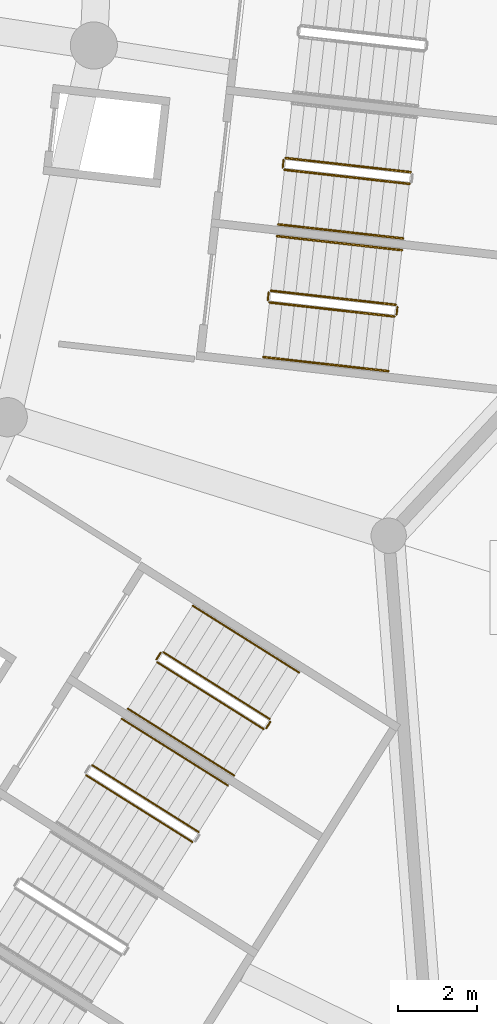
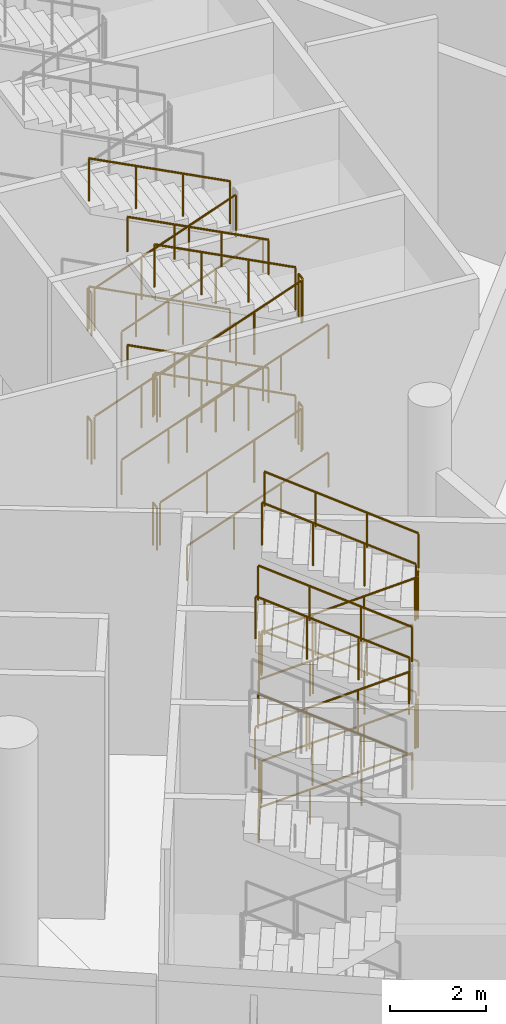
# One storey, part 214 of 255: 36 railings.
"""IFC4 building model written with IfcOpenShell, lengths in metres."""

from ifc_helpers import new_model, si_unit, direction, frame, origin, origin_2d, place, context, subcontext, project, spatial, circle, extrude, material, type_object, element, save


model = new_model("IFC4")

# Units and contexts
model_context = context("Model", 3, precision=1e-05, world=origin(), true_north=direction((0.0, 1.0)))
body_context = subcontext(model_context, "Body", "Model", "MODEL_VIEW")
ifc_project = project(units=[si_unit("LENGTHUNIT", "METRE"), si_unit("AREAUNIT", "SQUARE_METRE"), si_unit("VOLUMEUNIT", "CUBIC_METRE"), si_unit("PLANEANGLEUNIT", "RADIAN"), si_unit("MASSUNIT", "GRAM", prefix="KILO")], contexts=[model_context])

# Site, building, storey
site_placement = place(None, origin())
site = spatial("IfcSite", under=ifc_project, at=site_placement, CompositionType="ELEMENT")
building_placement = place(site_placement, origin())
building = spatial("IfcBuilding", under=site, at=building_placement, Name="Meseta Stadium", CompositionType="ELEMENT")
storey_placement = place(building_placement, origin())
storey = spatial("IfcBuildingStorey", under=building, at=storey_placement, Name="L00", CompositionType="ELEMENT", Elevation=0.0)

# Railings
ifc_material_1 = material(Name="Steel S355", Category="steel")
railing_type_1 = type_object("IfcRailingType", Name="Stair guard 1100", PredefinedType="GUARDRAIL", material=ifc_material_1)
railing_1_placement = place(storey_placement, frame((88.83740234375, -60.10986328125, 0.147705078125)))
element("IfcRailing", 1, at=railing_1_placement, inside=storey, type_object=railing_type_1, Name="ST1 L00 guard 1", PredefinedType="GUARDRAIL", context=body_context, shape_type="SweptSolid", body=[
    extrude(circle(Radius=0.02392578125, at=origin_2d()), frame((0.0, 0.0, 1.076171875), z_axis=(0.902216641888, -0.101616262084, 0.419141105571), x_axis=(0.11192190762, 0.993717005286, 0.0)), (0.0, 0.0, 1.0), 3.524658203125),
    extrude(circle(Radius=0.02099609375, at=origin_2d()), origin(), (0.0, 0.0, 1.0), 1.052001953125),
    extrude(circle(Radius=0.02099609375, at=origin_2d()), frame((1.06005859375, -0.119384765625, 0.492431640625)), (0.0, 0.0, 1.0), 1.052001953125),
    extrude(circle(Radius=0.02099609375, at=origin_2d()), frame((2.119873046875, -0.23876953125, 0.98486328125)), (0.0, 0.0, 1.0), 1.052001953125),
    extrude(circle(Radius=0.02099609375, at=origin_2d()), frame((3.179931640625, -0.358154296875, 1.477294921875)), (0.0, 0.0, 1.0), 1.052001953125),
])
railing_2_placement = place(storey_placement, frame((92.072509765625, -60.424072265625, 1.625)))
element("IfcRailing", 2, at=railing_2_placement, inside=storey, type_object=railing_type_1, Name="ST1 L00 guard 2", PredefinedType="GUARDRAIL", context=body_context, shape_type="SweptSolid", body=[
    extrude(circle(Radius=0.02392578125, at=origin_2d()), frame((0.0, 0.0, 1.076171875), z_axis=(0.112307083986, 0.993673547442, 0.0), x_axis=(-0.993673547442, 0.112307083986, 0.0)), (0.0, 0.0, 1.0), 0.199951171875),
    extrude(circle(Radius=0.02099609375, at=origin_2d()), origin(), (0.0, 0.0, 1.0), 1.052001953125),
    extrude(circle(Radius=0.02099609375, at=origin_2d()), frame((0.0224609375, 0.19873046875, 0.0)), (0.0, 0.0, 1.0), 1.052001953125),
])
railing_3_placement = place(storey_placement, frame((92.05078125, -60.169921875, 1.772705078125)))
element("IfcRailing", 3, at=railing_3_placement, inside=storey, type_object=railing_type_1, Name="ST1 L00 guard 3", PredefinedType="GUARDRAIL", context=body_context, shape_type="SweptSolid", body=[
    extrude(circle(Radius=0.02392578125, at=origin_2d()), frame((0.0, 0.0, 1.076171875), z_axis=(-0.902203756464, 0.101622612925, 0.419167301164), x_axis=(-0.111930393474, -0.993716049491, 0.0)), (0.0, 0.0, 1.0), 3.5244140625),
    extrude(circle(Radius=0.02099609375, at=origin_2d()), origin(), (0.0, 0.0, 1.0), 1.052001953125),
    extrude(circle(Radius=0.02099609375, at=origin_2d()), frame((-1.059814453125, 0.119384765625, 0.492431640625)), (0.0, 0.0, 1.0), 1.052001953125),
    extrude(circle(Radius=0.02099609375, at=origin_2d()), frame((-2.119873046875, 0.23876953125, 0.98486328125)), (0.0, 0.0, 1.0), 1.052001953125),
    extrude(circle(Radius=0.02099609375, at=origin_2d()), frame((-3.1796875, 0.358154296875, 1.477294921875)), (0.0, 0.0, 1.0), 1.052001953125),
])
railing_4_placement = place(storey_placement, frame((88.793212890625, -60.054443359375, 3.25)))
element("IfcRailing", 4, at=railing_4_placement, inside=storey, type_object=railing_type_1, Name="ST1 L00 guard 4", PredefinedType="GUARDRAIL", context=body_context, shape_type="SweptSolid", body=[
    extrude(circle(Radius=0.02392578125, at=origin_2d()), frame((0.0, 0.0, 1.076171875), z_axis=(0.112307083986, 0.993673547442, 0.0), x_axis=(-0.993673547442, 0.112307083986, 0.0)), (0.0, 0.0, 1.0), 0.199951171875),
    extrude(circle(Radius=0.02099609375, at=origin_2d()), origin(), (0.0, 0.0, 1.0), 1.052001953125),
    extrude(circle(Radius=0.02099609375, at=origin_2d()), frame((0.0224609375, 0.19873046875, 0.0)), (0.0, 0.0, 1.0), 1.052001953125),
])
railing_5_placement = place(storey_placement, frame((88.83740234375, -60.10986328125, 3.397705078125)))
element("IfcRailing", 5, at=railing_5_placement, inside=storey, type_object=railing_type_1, Name="ST1 L00 guard 5", PredefinedType="GUARDRAIL", context=body_context, shape_type="SweptSolid", body=[
    extrude(circle(Radius=0.02392578125, at=origin_2d()), frame((0.0, 0.0, 1.076171875), z_axis=(0.902216641888, -0.101616262084, 0.419141105571), x_axis=(0.11192190762, 0.993717005286, 0.0)), (0.0, 0.0, 1.0), 3.524658203125),
    extrude(circle(Radius=0.02099609375, at=origin_2d()), origin(), (0.0, 0.0, 1.0), 1.052001953125),
    extrude(circle(Radius=0.02099609375, at=origin_2d()), frame((1.06005859375, -0.119384765625, 0.492431640625)), (0.0, 0.0, 1.0), 1.052001953125),
    extrude(circle(Radius=0.02099609375, at=origin_2d()), frame((2.119873046875, -0.23876953125, 0.98486328125)), (0.0, 0.0, 1.0), 1.052001953125),
    extrude(circle(Radius=0.02099609375, at=origin_2d()), frame((3.179931640625, -0.358154296875, 1.477294921875)), (0.0, 0.0, 1.0), 1.052001953125),
])
railing_6_placement = place(storey_placement, frame((92.072509765625, -60.424072265625, 4.875)))
element("IfcRailing", 6, at=railing_6_placement, inside=storey, type_object=railing_type_1, Name="ST1 L00 guard 6", PredefinedType="GUARDRAIL", context=body_context, shape_type="SweptSolid", body=[
    extrude(circle(Radius=0.02392578125, at=origin_2d()), frame((0.0, 0.0, 1.076171875), z_axis=(0.112307083986, 0.993673547442, 0.0), x_axis=(-0.993673547442, 0.112307083986, 0.0)), (0.0, 0.0, 1.0), 0.199951171875),
    extrude(circle(Radius=0.02099609375, at=origin_2d()), origin(), (0.0, 0.0, 1.0), 1.052001953125),
    extrude(circle(Radius=0.02099609375, at=origin_2d()), frame((0.0224609375, 0.19873046875, 0.0)), (0.0, 0.0, 1.0), 1.052001953125),
])
railing_7_placement = place(storey_placement, frame((92.05078125, -60.169921875, 5.022705078125)))
element("IfcRailing", 7, at=railing_7_placement, inside=storey, type_object=railing_type_1, Name="ST1 L00 guard 7", PredefinedType="GUARDRAIL", context=body_context, shape_type="SweptSolid", body=[
    extrude(circle(Radius=0.02392578125, at=origin_2d()), frame((0.0, 0.0, 1.076171875), z_axis=(-0.902203756464, 0.101622612925, 0.419167301164), x_axis=(-0.111930393474, -0.993716049491, 0.0)), (0.0, 0.0, 1.0), 3.5244140625),
    extrude(circle(Radius=0.02099609375, at=origin_2d()), origin(), (0.0, 0.0, 1.0), 1.052001953125),
    extrude(circle(Radius=0.02099609375, at=origin_2d()), frame((-1.059814453125, 0.119384765625, 0.492431640625)), (0.0, 0.0, 1.0), 1.052001953125),
    extrude(circle(Radius=0.02099609375, at=origin_2d()), frame((-2.119873046875, 0.23876953125, 0.98486328125)), (0.0, 0.0, 1.0), 1.052001953125),
    extrude(circle(Radius=0.02099609375, at=origin_2d()), frame((-3.1796875, 0.358154296875, 1.477294921875)), (0.0, 0.0, 1.0), 1.052001953125),
])
railing_8_placement = place(storey_placement, frame((88.793212890625, -60.054443359375, 0.0)))
element("IfcRailing", 8, at=railing_8_placement, inside=storey, type_object=railing_type_1, Name="ST1 L00 guard 8", PredefinedType="GUARDRAIL", context=body_context, shape_type="SweptSolid", body=[
    extrude(circle(Radius=0.02392578125, at=origin_2d()), frame((0.0, 0.0, 1.076171875), z_axis=(0.112307083986, 0.993673547442, 0.0), x_axis=(-0.993673547442, 0.112307083986, 0.0)), (0.0, 0.0, 1.0), 0.199951171875),
    extrude(circle(Radius=0.02099609375, at=origin_2d()), origin(), (0.0, 0.0, 1.0), 1.052001953125),
    extrude(circle(Radius=0.02099609375, at=origin_2d()), frame((0.0224609375, 0.19873046875, 0.0)), (0.0, 0.0, 1.0), 1.052001953125),
])
railing_9_placement = place(storey_placement, frame((89.218017578125, -56.731201171875, 0.147705078125)))
element("IfcRailing", 9, at=railing_9_placement, inside=storey, type_object=railing_type_1, Name="ST2 L00 guard 1", PredefinedType="GUARDRAIL", context=body_context, shape_type="SweptSolid", body=[
    extrude(circle(Radius=0.02392578125, at=origin_2d()), frame((0.0, 0.0, 1.076171875), z_axis=(0.902210289302, -0.10168481418, 0.419138154362), x_axis=(0.111997244021, 0.993708517288, 0.0)), (0.0, 0.0, 1.0), 3.524658203125),
    extrude(circle(Radius=0.02099609375, at=origin_2d()), origin(), (0.0, 0.0, 1.0), 1.052001953125),
    extrude(circle(Radius=0.02099609375, at=origin_2d()), frame((1.06005859375, -0.119384765625, 0.492431640625)), (0.0, 0.0, 1.0), 1.052001953125),
    extrude(circle(Radius=0.02099609375, at=origin_2d()), frame((2.119873046875, -0.239013671875, 0.98486328125)), (0.0, 0.0, 1.0), 1.052001953125),
    extrude(circle(Radius=0.02099609375, at=origin_2d()), frame((3.179931640625, -0.3583984375, 1.477294921875)), (0.0, 0.0, 1.0), 1.052001953125),
])
railing_10_placement = place(storey_placement, frame((92.431640625, -56.79150390625, 1.772705078125)))
element("IfcRailing", 10, at=railing_10_placement, inside=storey, type_object=railing_type_1, Name="ST2 L00 guard 3", PredefinedType="GUARDRAIL", context=body_context, shape_type="SweptSolid", body=[
    extrude(circle(Radius=0.02392578125, at=origin_2d()), frame((0.0, 0.0, 1.076171875), z_axis=(-0.902210289302, 0.10168481418, 0.419138154362), x_axis=(-0.111997244021, -0.993708517288, 0.0)), (0.0, 0.0, 1.0), 3.524658203125),
    extrude(circle(Radius=0.02099609375, at=origin_2d()), origin(), (0.0, 0.0, 1.0), 1.052001953125),
    extrude(circle(Radius=0.02099609375, at=origin_2d()), frame((-1.06005859375, 0.119384765625, 0.492431640625)), (0.0, 0.0, 1.0), 1.052001953125),
    extrude(circle(Radius=0.02099609375, at=origin_2d()), frame((-2.119873046875, 0.239013671875, 0.98486328125)), (0.0, 0.0, 1.0), 1.052001953125),
    extrude(circle(Radius=0.02099609375, at=origin_2d()), frame((-3.179931640625, 0.3583984375, 1.477294921875)), (0.0, 0.0, 1.0), 1.052001953125),
])
railing_11_placement = place(storey_placement, frame((89.174072265625, -56.676025390625, 3.25)))
element("IfcRailing", 11, at=railing_11_placement, inside=storey, type_object=railing_type_1, Name="ST2 L00 guard 4", PredefinedType="GUARDRAIL", context=body_context, shape_type="SweptSolid", body=[
    extrude(circle(Radius=0.02392578125, at=origin_2d()), frame((0.0, 0.0, 1.076171875), z_axis=(0.111101504696, 0.993809063983, 0.0), x_axis=(-0.993809063983, 0.111101504696, 0.0)), (0.0, 0.0, 1.0), 0.199951171875),
    extrude(circle(Radius=0.02099609375, at=origin_2d()), origin(), (0.0, 0.0, 1.0), 1.052001953125),
    extrude(circle(Radius=0.02099609375, at=origin_2d()), frame((0.022216796875, 0.19873046875, 0.0)), (0.0, 0.0, 1.0), 1.052001953125),
])
railing_12_placement = place(storey_placement, frame((89.218017578125, -56.731201171875, 3.397705078125)))
element("IfcRailing", 12, at=railing_12_placement, inside=storey, type_object=railing_type_1, Name="ST2 L00 guard 5", PredefinedType="GUARDRAIL", context=body_context, shape_type="SweptSolid", body=[
    extrude(circle(Radius=0.02392578125, at=origin_2d()), frame((0.0, 0.0, 1.076171875), z_axis=(0.902210289302, -0.10168481418, 0.419138154362), x_axis=(0.111997244021, 0.993708517288, 0.0)), (0.0, 0.0, 1.0), 3.524658203125),
    extrude(circle(Radius=0.02099609375, at=origin_2d()), origin(), (0.0, 0.0, 1.0), 1.052001953125),
    extrude(circle(Radius=0.02099609375, at=origin_2d()), frame((1.06005859375, -0.119384765625, 0.492431640625)), (0.0, 0.0, 1.0), 1.052001953125),
    extrude(circle(Radius=0.02099609375, at=origin_2d()), frame((2.119873046875, -0.239013671875, 0.98486328125)), (0.0, 0.0, 1.0), 1.052001953125),
    extrude(circle(Radius=0.02099609375, at=origin_2d()), frame((3.179931640625, -0.3583984375, 1.477294921875)), (0.0, 0.0, 1.0), 1.052001953125),
])
railing_13_placement = place(storey_placement, frame((92.431640625, -56.79150390625, 5.022705078125)))
element("IfcRailing", 13, at=railing_13_placement, inside=storey, type_object=railing_type_1, Name="ST2 L00 guard 7", PredefinedType="GUARDRAIL", context=body_context, shape_type="SweptSolid", body=[
    extrude(circle(Radius=0.02392578125, at=origin_2d()), frame((0.0, 0.0, 1.076171875), z_axis=(-0.902210289302, 0.10168481418, 0.419138154362), x_axis=(-0.111997244021, -0.993708517288, 0.0)), (0.0, 0.0, 1.0), 3.524658203125),
    extrude(circle(Radius=0.02099609375, at=origin_2d()), origin(), (0.0, 0.0, 1.0), 1.052001953125),
    extrude(circle(Radius=0.02099609375, at=origin_2d()), frame((-1.06005859375, 0.119384765625, 0.492431640625)), (0.0, 0.0, 1.0), 1.052001953125),
    extrude(circle(Radius=0.02099609375, at=origin_2d()), frame((-2.119873046875, 0.239013671875, 0.98486328125)), (0.0, 0.0, 1.0), 1.052001953125),
    extrude(circle(Radius=0.02099609375, at=origin_2d()), frame((-3.179931640625, 0.3583984375, 1.477294921875)), (0.0, 0.0, 1.0), 1.052001953125),
])
railing_14_placement = place(storey_placement, frame((89.174072265625, -56.676025390625, 0.0)))
element("IfcRailing", 14, at=railing_14_placement, inside=storey, type_object=railing_type_1, Name="ST2 L00 guard 8", PredefinedType="GUARDRAIL", context=body_context, shape_type="SweptSolid", body=[
    extrude(circle(Radius=0.02392578125, at=origin_2d()), frame((0.0, 0.0, 1.076171875), z_axis=(0.111101504696, 0.993809063983, 0.0), x_axis=(-0.993809063983, 0.111101504696, 0.0)), (0.0, 0.0, 1.0), 0.199951171875),
    extrude(circle(Radius=0.02099609375, at=origin_2d()), origin(), (0.0, 0.0, 1.0), 1.052001953125),
    extrude(circle(Radius=0.02099609375, at=origin_2d()), frame((0.022216796875, 0.19873046875, 0.0)), (0.0, 0.0, 1.0), 1.052001953125),
])
railing_15_placement = place(storey_placement, frame((84.165283203125, -72.150146484375, 3.397705078125)))
element("IfcRailing", 15, at=railing_15_placement, inside=storey, type_object=railing_type_1, Name="ST111 L00 guard 5", PredefinedType="GUARDRAIL", context=body_context, shape_type="SweptSolid", body=[
    extrude(circle(Radius=0.02392578125, at=origin_2d()), frame((0.0, 0.0, 1.076171875), z_axis=(0.768737866935, -0.483076039287, 0.419141541973), x_axis=(0.53206841829, 0.84670136309, 0.0)), (0.0, 0.0, 1.0), 3.524658203125),
    extrude(circle(Radius=0.02099609375, at=origin_2d()), origin(), (0.0, 0.0, 1.0), 1.052001953125),
    extrude(circle(Radius=0.02099609375, at=origin_2d()), frame((0.903076171875, -0.567626953125, 0.492431640625)), (0.0, 0.0, 1.0), 1.052001953125),
    extrude(circle(Radius=0.02099609375, at=origin_2d()), frame((1.806396484375, -1.135009765625, 0.98486328125)), (0.0, 0.0, 1.0), 1.052001953125),
    extrude(circle(Radius=0.02099609375, at=origin_2d()), frame((2.70947265625, -1.70263671875, 1.477294921875)), (0.0, 0.0, 1.0), 1.052001953125),
])
railing_16_placement = place(storey_placement, frame((87.034423828125, -73.5986328125, 5.022705078125)))
element("IfcRailing", 16, at=railing_16_placement, inside=storey, type_object=railing_type_1, Name="ST111 L00 guard 7", PredefinedType="GUARDRAIL", context=body_context, shape_type="SweptSolid", body=[
    extrude(circle(Radius=0.02392578125, at=origin_2d()), frame((0.0, 0.0, 1.076171875), z_axis=(-0.768791919252, 0.482997211726, 0.419133246544), x_axis=(-0.531979352387, -0.846757325705, 0.0)), (0.0, 0.0, 1.0), 3.524658203125),
    extrude(circle(Radius=0.02099609375, at=origin_2d()), origin(), (0.0, 0.0, 1.0), 1.052001953125),
    extrude(circle(Radius=0.02099609375, at=origin_2d()), frame((-0.9033203125, 0.5673828125, 0.492431640625)), (0.0, 0.0, 1.0), 1.052001953125),
    extrude(circle(Radius=0.02099609375, at=origin_2d()), frame((-1.806396484375, 1.135009765625, 0.98486328125)), (0.0, 0.0, 1.0), 1.052001953125),
    extrude(circle(Radius=0.02099609375, at=origin_2d()), frame((-2.709716796875, 1.702392578125, 1.477294921875)), (0.0, 0.0, 1.0), 1.052001953125),
])
railing_17_placement = place(storey_placement, frame((85.97412109375, -69.271240234375, 0.147705078125)))
element("IfcRailing", 17, at=railing_17_placement, inside=storey, type_object=railing_type_1, Name="ST112 L00 guard 1", PredefinedType="GUARDRAIL", context=body_context, shape_type="SweptSolid", body=[
    extrude(circle(Radius=0.02392578125, at=origin_2d()), frame((0.0, 0.0, 1.076171875), z_axis=(0.768737866935, -0.483076039287, 0.419141541973), x_axis=(0.53206841829, 0.84670136309, 0.0)), (0.0, 0.0, 1.0), 3.524658203125),
    extrude(circle(Radius=0.02099609375, at=origin_2d()), origin(), (0.0, 0.0, 1.0), 1.052001953125),
    extrude(circle(Radius=0.02099609375, at=origin_2d()), frame((0.903076171875, -0.567626953125, 0.492431640625)), (0.0, 0.0, 1.0), 1.052001953125),
    extrude(circle(Radius=0.02099609375, at=origin_2d()), frame((1.806396484375, -1.135009765625, 0.98486328125)), (0.0, 0.0, 1.0), 1.052001953125),
    extrude(circle(Radius=0.02099609375, at=origin_2d()), frame((2.70947265625, -1.70263671875, 1.477294921875)), (0.0, 0.0, 1.0), 1.052001953125),
])
railing_18_placement = place(storey_placement, frame((88.75244140625, -70.9580078125, 1.625)))
element("IfcRailing", 18, at=railing_18_placement, inside=storey, type_object=railing_type_1, Name="ST112 L00 guard 2", PredefinedType="GUARDRAIL", context=body_context, shape_type="SweptSolid", body=[
    extrude(circle(Radius=0.02392578125, at=origin_2d()), frame((0.0, 0.0, 1.076171875), z_axis=(0.532521690573, 0.846416356806, 0.0), x_axis=(-0.846416356806, 0.532521690573, 0.0)), (0.0, 0.0, 1.0), 0.199951171875),
    extrude(circle(Radius=0.02099609375, at=origin_2d()), origin(), (0.0, 0.0, 1.0), 1.052001953125),
    extrude(circle(Radius=0.02099609375, at=origin_2d()), frame((0.1064453125, 0.169189453125, 0.0)), (0.0, 0.0, 1.0), 1.052001953125),
])
railing_19_placement = place(storey_placement, frame((88.84326171875, -70.7197265625, 1.772705078125)))
element("IfcRailing", 19, at=railing_19_placement, inside=storey, type_object=railing_type_1, Name="ST112 L00 guard 3", PredefinedType="GUARDRAIL", context=body_context, shape_type="SweptSolid", body=[
    extrude(circle(Radius=0.02392578125, at=origin_2d()), frame((0.0, 0.0, 1.076171875), z_axis=(-0.76876358972, 0.483022933061, 0.419155566894), x_axis=(-0.532013720158, -0.846735733015, 0.0)), (0.0, 0.0, 1.0), 3.5244140625),
    extrude(circle(Radius=0.02099609375, at=origin_2d()), origin(), (0.0, 0.0, 1.0), 1.052001953125),
    extrude(circle(Radius=0.02099609375, at=origin_2d()), frame((-0.903076171875, 0.5673828125, 0.492431640625)), (0.0, 0.0, 1.0), 1.052001953125),
    extrude(circle(Radius=0.02099609375, at=origin_2d()), frame((-1.806396484375, 1.135009765625, 0.98486328125)), (0.0, 0.0, 1.0), 1.052001953125),
    extrude(circle(Radius=0.02099609375, at=origin_2d()), frame((-2.70947265625, 1.702392578125, 1.477294921875)), (0.0, 0.0, 1.0), 1.052001953125),
])
railing_20_placement = place(storey_placement, frame((85.958251953125, -69.202392578125, 3.25)))
element("IfcRailing", 20, at=railing_20_placement, inside=storey, type_object=railing_type_1, Name="ST112 L00 guard 4", PredefinedType="GUARDRAIL", context=body_context, shape_type="SweptSolid", body=[
    extrude(circle(Radius=0.02392578125, at=origin_2d()), frame((0.0, 0.0, 1.076171875), z_axis=(0.531971628011, 0.846762178531, 0.0), x_axis=(-0.846762178531, 0.531971628011, 0.0)), (0.0, 0.0, 1.0), 0.2001953125),
    extrude(circle(Radius=0.02099609375, at=origin_2d()), origin(), (0.0, 0.0, 1.0), 1.052001953125),
    extrude(circle(Radius=0.02099609375, at=origin_2d()), frame((0.1064453125, 0.16943359375, 0.0)), (0.0, 0.0, 1.0), 1.052001953125),
])
railing_21_placement = place(storey_placement, frame((85.97412109375, -69.271240234375, 3.397705078125)))
element("IfcRailing", 21, at=railing_21_placement, inside=storey, type_object=railing_type_1, Name="ST112 L00 guard 5", PredefinedType="GUARDRAIL", context=body_context, shape_type="SweptSolid", body=[
    extrude(circle(Radius=0.02392578125, at=origin_2d()), frame((0.0, 0.0, 1.076171875), z_axis=(0.768737866935, -0.483076039287, 0.419141541973), x_axis=(0.53206841829, 0.84670136309, 0.0)), (0.0, 0.0, 1.0), 3.524658203125),
    extrude(circle(Radius=0.02099609375, at=origin_2d()), origin(), (0.0, 0.0, 1.0), 1.052001953125),
    extrude(circle(Radius=0.02099609375, at=origin_2d()), frame((0.903076171875, -0.567626953125, 0.492431640625)), (0.0, 0.0, 1.0), 1.052001953125),
    extrude(circle(Radius=0.02099609375, at=origin_2d()), frame((1.806396484375, -1.135009765625, 0.98486328125)), (0.0, 0.0, 1.0), 1.052001953125),
    extrude(circle(Radius=0.02099609375, at=origin_2d()), frame((2.70947265625, -1.70263671875, 1.477294921875)), (0.0, 0.0, 1.0), 1.052001953125),
])
railing_22_placement = place(storey_placement, frame((88.75244140625, -70.9580078125, 4.875)))
element("IfcRailing", 22, at=railing_22_placement, inside=storey, type_object=railing_type_1, Name="ST112 L00 guard 6", PredefinedType="GUARDRAIL", context=body_context, shape_type="SweptSolid", body=[
    extrude(circle(Radius=0.02392578125, at=origin_2d()), frame((0.0, 0.0, 1.076171875), z_axis=(0.532521690573, 0.846416356806, 0.0), x_axis=(-0.846416356806, 0.532521690573, 0.0)), (0.0, 0.0, 1.0), 0.199951171875),
    extrude(circle(Radius=0.02099609375, at=origin_2d()), origin(), (0.0, 0.0, 1.0), 1.052001953125),
    extrude(circle(Radius=0.02099609375, at=origin_2d()), frame((0.1064453125, 0.169189453125, 0.0)), (0.0, 0.0, 1.0), 1.052001953125),
])
railing_23_placement = place(storey_placement, frame((88.84326171875, -70.7197265625, 5.022705078125)))
element("IfcRailing", 23, at=railing_23_placement, inside=storey, type_object=railing_type_1, Name="ST112 L00 guard 7", PredefinedType="GUARDRAIL", context=body_context, shape_type="SweptSolid", body=[
    extrude(circle(Radius=0.02392578125, at=origin_2d()), frame((0.0, 0.0, 1.076171875), z_axis=(-0.76876358972, 0.483022933061, 0.419155566894), x_axis=(-0.532013720158, -0.846735733015, 0.0)), (0.0, 0.0, 1.0), 3.5244140625),
    extrude(circle(Radius=0.02099609375, at=origin_2d()), origin(), (0.0, 0.0, 1.0), 1.052001953125),
    extrude(circle(Radius=0.02099609375, at=origin_2d()), frame((-0.903076171875, 0.5673828125, 0.492431640625)), (0.0, 0.0, 1.0), 1.052001953125),
    extrude(circle(Radius=0.02099609375, at=origin_2d()), frame((-1.806396484375, 1.135009765625, 0.98486328125)), (0.0, 0.0, 1.0), 1.052001953125),
    extrude(circle(Radius=0.02099609375, at=origin_2d()), frame((-2.70947265625, 1.702392578125, 1.477294921875)), (0.0, 0.0, 1.0), 1.052001953125),
])
railing_24_placement = place(storey_placement, frame((85.958251953125, -69.202392578125, 0.0)))
element("IfcRailing", 24, at=railing_24_placement, inside=storey, type_object=railing_type_1, Name="ST112 L00 guard 8", PredefinedType="GUARDRAIL", context=body_context, shape_type="SweptSolid", body=[
    extrude(circle(Radius=0.02392578125, at=origin_2d()), frame((0.0, 0.0, 1.076171875), z_axis=(0.531971628011, 0.846762178531, 0.0), x_axis=(-0.846762178531, 0.531971628011, 0.0)), (0.0, 0.0, 1.0), 0.2001953125),
    extrude(circle(Radius=0.02099609375, at=origin_2d()), origin(), (0.0, 0.0, 1.0), 1.052001953125),
    extrude(circle(Radius=0.02099609375, at=origin_2d()), frame((0.1064453125, 0.16943359375, 0.0)), (0.0, 0.0, 1.0), 1.052001953125),
])
ifc_material_2 = material(Name="Steel S355", Category="steel")
railing_type_2 = type_object("IfcRailingType", Name="Stair handrail 900", PredefinedType="HANDRAIL", material=ifc_material_2)
railing_25_placement = place(storey_placement, frame((88.6806640625, -61.5009765625, 0.147705078125)))
element("IfcRailing", 25, at=railing_25_placement, inside=storey, type_object=railing_type_2, Name="ST1 L00 handrail 1", PredefinedType="HANDRAIL", context=body_context, shape_type="SweptSolid", body=[
    extrude(circle(Radius=0.02392578125, at=origin_2d()), frame((0.0, 0.0, 0.8759765625), z_axis=(0.902210289302, -0.10168481418, 0.419138154362), x_axis=(0.111997244021, 0.993708517288, 0.0)), (0.0, 0.0, 1.0), 3.524658203125),
    extrude(circle(Radius=0.02099609375, at=origin_2d()), origin(), (0.0, 0.0, 1.0), 0.851806640625),
    extrude(circle(Radius=0.02099609375, at=origin_2d()), frame((1.06005859375, -0.119384765625, 0.492431640625)), (0.0, 0.0, 1.0), 0.851806640625),
    extrude(circle(Radius=0.02099609375, at=origin_2d()), frame((2.119873046875, -0.239013671875, 0.98486328125)), (0.0, 0.0, 1.0), 0.851806640625),
    extrude(circle(Radius=0.02099609375, at=origin_2d()), frame((3.179931640625, -0.3583984375, 1.477294921875)), (0.0, 0.0, 1.0), 0.851806640625),
])
railing_26_placement = place(storey_placement, frame((92.20751953125, -58.77880859375, 1.772705078125)))
element("IfcRailing", 26, at=railing_26_placement, inside=storey, type_object=railing_type_2, Name="ST1 L00 handrail 2", PredefinedType="HANDRAIL", context=body_context, shape_type="SweptSolid", body=[
    extrude(circle(Radius=0.02392578125, at=origin_2d()), frame((0.0, 0.0, 0.8759765625), z_axis=(-0.902197403174, 0.101691169215, 0.419164349402), x_axis=(-0.112005735442, -0.993707560215, 0.0)), (0.0, 0.0, 1.0), 3.5244140625),
    extrude(circle(Radius=0.02099609375, at=origin_2d()), origin(), (0.0, 0.0, 1.0), 0.851806640625),
    extrude(circle(Radius=0.02099609375, at=origin_2d()), frame((-1.059814453125, 0.119384765625, 0.492431640625)), (0.0, 0.0, 1.0), 0.851806640625),
    extrude(circle(Radius=0.02099609375, at=origin_2d()), frame((-2.119873046875, 0.239013671875, 0.98486328125)), (0.0, 0.0, 1.0), 0.851806640625),
    extrude(circle(Radius=0.02099609375, at=origin_2d()), frame((-3.1796875, 0.3583984375, 1.477294921875)), (0.0, 0.0, 1.0), 0.851806640625),
])
railing_27_placement = place(storey_placement, frame((88.6806640625, -61.5009765625, 3.397705078125)))
element("IfcRailing", 27, at=railing_27_placement, inside=storey, type_object=railing_type_2, Name="ST1 L00 handrail 3", PredefinedType="HANDRAIL", context=body_context, shape_type="SweptSolid", body=[
    extrude(circle(Radius=0.02392578125, at=origin_2d()), frame((0.0, 0.0, 0.8759765625), z_axis=(0.902210289302, -0.10168481418, 0.419138154362), x_axis=(0.111997244021, 0.993708517288, 0.0)), (0.0, 0.0, 1.0), 3.524658203125),
    extrude(circle(Radius=0.02099609375, at=origin_2d()), origin(), (0.0, 0.0, 1.0), 0.851806640625),
    extrude(circle(Radius=0.02099609375, at=origin_2d()), frame((1.06005859375, -0.119384765625, 0.492431640625)), (0.0, 0.0, 1.0), 0.851806640625),
    extrude(circle(Radius=0.02099609375, at=origin_2d()), frame((2.119873046875, -0.239013671875, 0.98486328125)), (0.0, 0.0, 1.0), 0.851806640625),
    extrude(circle(Radius=0.02099609375, at=origin_2d()), frame((3.179931640625, -0.3583984375, 1.477294921875)), (0.0, 0.0, 1.0), 0.851806640625),
])
railing_28_placement = place(storey_placement, frame((92.20751953125, -58.77880859375, 5.022705078125)))
element("IfcRailing", 28, at=railing_28_placement, inside=storey, type_object=railing_type_2, Name="ST1 L00 handrail 4", PredefinedType="HANDRAIL", context=body_context, shape_type="SweptSolid", body=[
    extrude(circle(Radius=0.02392578125, at=origin_2d()), frame((0.0, 0.0, 0.8759765625), z_axis=(-0.902197403174, 0.101691169215, 0.419164349402), x_axis=(-0.112005735442, -0.993707560215, 0.0)), (0.0, 0.0, 1.0), 3.5244140625),
    extrude(circle(Radius=0.02099609375, at=origin_2d()), origin(), (0.0, 0.0, 1.0), 0.851806640625),
    extrude(circle(Radius=0.02099609375, at=origin_2d()), frame((-1.059814453125, 0.119384765625, 0.492431640625)), (0.0, 0.0, 1.0), 0.851806640625),
    extrude(circle(Radius=0.02099609375, at=origin_2d()), frame((-2.119873046875, 0.239013671875, 0.98486328125)), (0.0, 0.0, 1.0), 0.851806640625),
    extrude(circle(Radius=0.02099609375, at=origin_2d()), frame((-3.1796875, 0.3583984375, 1.477294921875)), (0.0, 0.0, 1.0), 0.851806640625),
])
for number, where, name in (
    (29, (89.061279296875, -58.122314453125, 0.147705078125), "ST2 L00 handrail 1"),
    (30, (89.061279296875, -58.122314453125, 3.397705078125), "ST2 L00 handrail 3"),
):
    element("IfcRailing", number, at=place(storey_placement, frame(where)), inside=storey, type_object=railing_type_2, Name=name, PredefinedType="HANDRAIL", context=body_context, shape_type="SweptSolid", body=[
        extrude(circle(Radius=0.02392578125, at=origin_2d()), frame((0.0, 0.0, 0.8759765625), z_axis=(0.902210289302, -0.10168481418, 0.419138154362), x_axis=(0.111997244021, 0.993708517288, 0.0)), (0.0, 0.0, 1.0), 3.524658203125),
        extrude(circle(Radius=0.02099609375, at=origin_2d()), origin(), (0.0, 0.0, 1.0), 0.851806640625),
        extrude(circle(Radius=0.02099609375, at=origin_2d()), frame((1.06005859375, -0.119384765625, 0.492431640625)), (0.0, 0.0, 1.0), 0.851806640625),
        extrude(circle(Radius=0.02099609375, at=origin_2d()), frame((2.119873046875, -0.239013671875, 0.98486328125)), (0.0, 0.0, 1.0), 0.851806640625),
        extrude(circle(Radius=0.02099609375, at=origin_2d()), frame((3.179931640625, -0.3583984375, 1.477294921875)), (0.0, 0.0, 1.0), 0.851806640625),
    ])
for number, where, name in (
    (31, (87.779052734375, -72.413330078125, 1.772705078125), "ST111 L00 handrail 2"),
    (32, (87.779052734375, -72.413330078125, 5.022705078125), "ST111 L00 handrail 4"),
):
    element("IfcRailing", number, at=place(storey_placement, frame(where)), inside=storey, type_object=railing_type_2, Name=name, PredefinedType="HANDRAIL", context=body_context, shape_type="SweptSolid", body=[
        extrude(circle(Radius=0.02392578125, at=origin_2d()), frame((0.0, 0.0, 0.8759765625), z_axis=(-0.768737866935, 0.483076039287, 0.419141541973), x_axis=(-0.53206841829, -0.84670136309, 0.0)), (0.0, 0.0, 1.0), 3.524658203125),
        extrude(circle(Radius=0.02099609375, at=origin_2d()), origin(), (0.0, 0.0, 1.0), 0.851806640625),
        extrude(circle(Radius=0.02099609375, at=origin_2d()), frame((-0.903076171875, 0.567626953125, 0.492431640625)), (0.0, 0.0, 1.0), 0.851806640625),
        extrude(circle(Radius=0.02099609375, at=origin_2d()), frame((-1.806396484375, 1.135009765625, 0.98486328125)), (0.0, 0.0, 1.0), 0.851806640625),
        extrude(circle(Radius=0.02099609375, at=origin_2d()), frame((-2.70947265625, 1.70263671875, 1.477294921875)), (0.0, 0.0, 1.0), 0.851806640625),
    ])
railing_29_placement = place(storey_placement, frame((85.229248046875, -70.456787109375, 0.147705078125)))
element("IfcRailing", 33, at=railing_29_placement, inside=storey, type_object=railing_type_2, Name="ST112 L00 handrail 1", PredefinedType="HANDRAIL", context=body_context, shape_type="SweptSolid", body=[
    extrude(circle(Radius=0.02392578125, at=origin_2d()), frame((0.0, 0.0, 0.8759765625), z_axis=(0.76876358972, -0.483022933061, 0.419155566894), x_axis=(0.532013720158, 0.846735733015, 0.0)), (0.0, 0.0, 1.0), 3.5244140625),
    extrude(circle(Radius=0.02099609375, at=origin_2d()), origin(), (0.0, 0.0, 1.0), 0.851806640625),
    extrude(circle(Radius=0.02099609375, at=origin_2d()), frame((0.903076171875, -0.5673828125, 0.492431640625)), (0.0, 0.0, 1.0), 0.851806640625),
    extrude(circle(Radius=0.02099609375, at=origin_2d()), frame((1.806396484375, -1.135009765625, 0.98486328125)), (0.0, 0.0, 1.0), 0.851806640625),
    extrude(circle(Radius=0.02099609375, at=origin_2d()), frame((2.70947265625, -1.702392578125, 1.477294921875)), (0.0, 0.0, 1.0), 0.851806640625),
])
railing_30_placement = place(storey_placement, frame((89.588134765625, -69.534423828125, 1.772705078125)))
element("IfcRailing", 34, at=railing_30_placement, inside=storey, type_object=railing_type_2, Name="ST112 L00 handrail 2", PredefinedType="HANDRAIL", context=body_context, shape_type="SweptSolid", body=[
    extrude(circle(Radius=0.02392578125, at=origin_2d()), frame((0.0, 0.0, 0.8759765625), z_axis=(-0.768737866935, 0.483076039287, 0.419141541973), x_axis=(-0.53206841829, -0.84670136309, 0.0)), (0.0, 0.0, 1.0), 3.524658203125),
    extrude(circle(Radius=0.02099609375, at=origin_2d()), origin(), (0.0, 0.0, 1.0), 0.851806640625),
    extrude(circle(Radius=0.02099609375, at=origin_2d()), frame((-0.903076171875, 0.567626953125, 0.492431640625)), (0.0, 0.0, 1.0), 0.851806640625),
    extrude(circle(Radius=0.02099609375, at=origin_2d()), frame((-1.806396484375, 1.135009765625, 0.98486328125)), (0.0, 0.0, 1.0), 0.851806640625),
    extrude(circle(Radius=0.02099609375, at=origin_2d()), frame((-2.70947265625, 1.70263671875, 1.477294921875)), (0.0, 0.0, 1.0), 0.851806640625),
])
railing_31_placement = place(storey_placement, frame((85.229248046875, -70.456787109375, 3.397705078125)))
element("IfcRailing", 35, at=railing_31_placement, inside=storey, type_object=railing_type_2, Name="ST112 L00 handrail 3", PredefinedType="HANDRAIL", context=body_context, shape_type="SweptSolid", body=[
    extrude(circle(Radius=0.02392578125, at=origin_2d()), frame((0.0, 0.0, 0.8759765625), z_axis=(0.76876358972, -0.483022933061, 0.419155566894), x_axis=(0.532013720158, 0.846735733015, 0.0)), (0.0, 0.0, 1.0), 3.5244140625),
    extrude(circle(Radius=0.02099609375, at=origin_2d()), origin(), (0.0, 0.0, 1.0), 0.851806640625),
    extrude(circle(Radius=0.02099609375, at=origin_2d()), frame((0.903076171875, -0.5673828125, 0.492431640625)), (0.0, 0.0, 1.0), 0.851806640625),
    extrude(circle(Radius=0.02099609375, at=origin_2d()), frame((1.806396484375, -1.135009765625, 0.98486328125)), (0.0, 0.0, 1.0), 0.851806640625),
    extrude(circle(Radius=0.02099609375, at=origin_2d()), frame((2.70947265625, -1.702392578125, 1.477294921875)), (0.0, 0.0, 1.0), 0.851806640625),
])
railing_32_placement = place(storey_placement, frame((89.588134765625, -69.534423828125, 5.022705078125)))
element("IfcRailing", 36, at=railing_32_placement, inside=storey, type_object=railing_type_2, Name="ST112 L00 handrail 4", PredefinedType="HANDRAIL", context=body_context, shape_type="SweptSolid", body=[
    extrude(circle(Radius=0.02392578125, at=origin_2d()), frame((0.0, 0.0, 0.8759765625), z_axis=(-0.768737866935, 0.483076039287, 0.419141541973), x_axis=(-0.53206841829, -0.84670136309, 0.0)), (0.0, 0.0, 1.0), 3.524658203125),
    extrude(circle(Radius=0.02099609375, at=origin_2d()), origin(), (0.0, 0.0, 1.0), 0.851806640625),
    extrude(circle(Radius=0.02099609375, at=origin_2d()), frame((-0.903076171875, 0.567626953125, 0.492431640625)), (0.0, 0.0, 1.0), 0.851806640625),
    extrude(circle(Radius=0.02099609375, at=origin_2d()), frame((-1.806396484375, 1.135009765625, 0.98486328125)), (0.0, 0.0, 1.0), 0.851806640625),
    extrude(circle(Radius=0.02099609375, at=origin_2d()), frame((-2.70947265625, 1.70263671875, 1.477294921875)), (0.0, 0.0, 1.0), 0.851806640625),
])

save(model, "model.ifc")
